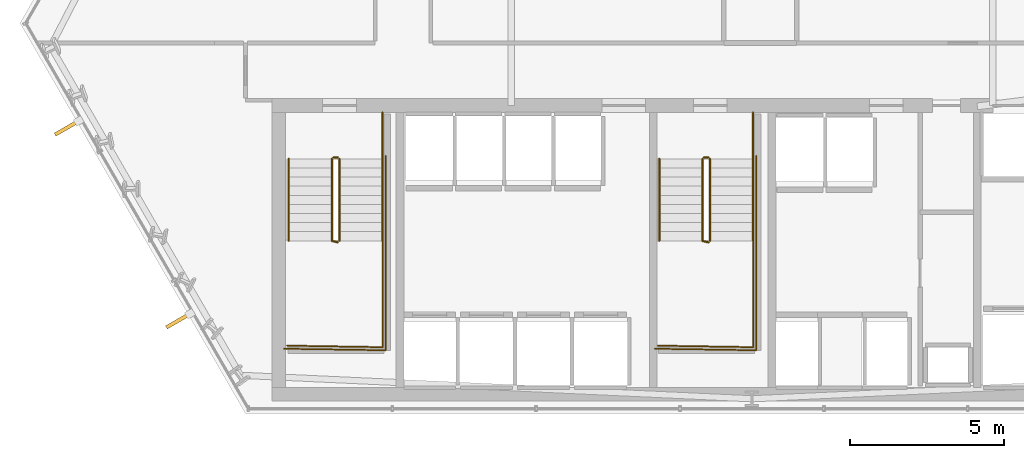
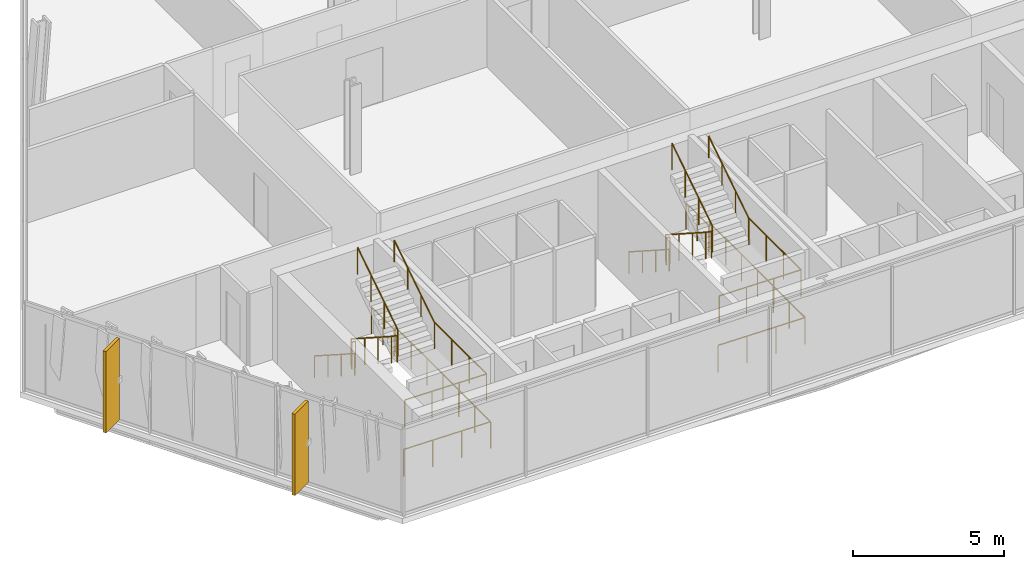
# One storey, part 30 of 33: 16 railings, 2 shading devices.
"""IFC4 building model written with IfcOpenShell, lengths in metres."""

import ifcopenshell
import ifcopenshell.guid

model = None  # the IFC model being written
_history = None  # IfcOwnerHistory: only IFC2X3 demands one
_inside = {}  # id of a spatial element -> (the spatial element, [elements in it])
_under = {}  # id of a project, library or spatial element -> (it, [spatial elements below it])
_declared = {}  # id of a project -> (the project, [libraries it declares])
_typed = {}  # id of a type object -> (the type object, [elements of that type])
_made_of = {}  # id of a material, layer set ... -> (it, [elements and type objects made of it])


def new_model(schema):
    """Start an empty IFC model of exactly this schema.

    Asked for "IFC4X3", IfcOpenShell would pick the latest addendum, in which some entities
    have other attributes; the version numbers below select the first issue.
    IFC2X3 requires an IfcOwnerHistory on every rooted entity: one is made here for all.
    """
    global model, _history
    if schema == "IFC4X3":
        model = ifcopenshell.file(schema_version=(4, 3, 0, 0))
    else:
        model = ifcopenshell.file(schema=schema)
    _inside.clear()
    _under.clear()
    _declared.clear()
    _typed.clear()
    _made_of.clear()
    _history = None
    if model.schema == "IFC2X3":
        org = make("IfcOrganization", Name="unknown")
        user = make(
            "IfcPersonAndOrganization",
            ThePerson=make("IfcPerson", FamilyName="unknown"),
            TheOrganization=org,
        )
        app = make(
            "IfcApplication",
            ApplicationDeveloper=org,
            Version="unknown",
            ApplicationFullName="unknown",
            ApplicationIdentifier="unknown",
        )
        _history = make(
            "IfcOwnerHistory",
            OwningUser=user,
            OwningApplication=app,
            ChangeAction="ADDED",
            CreationDate=0,
        )
    return model


def make(cls, **values):
    """One entity of the class cls with the attributes given. An attribute that is None is left unset."""
    return model.create_entity(
        cls, **{name: value for name, value in values.items() if value is not None}
    )


def rooted(cls, **values):
    """An entity with a GlobalId (a new one), such as an element, a storey or a relation."""
    return make(cls, GlobalId=ifcopenshell.guid.new(), OwnerHistory=_history, **values)


def si_unit(unit_type, name, prefix=None):
    """IfcSIUnit, for example si_unit("LENGTHUNIT", "METRE", prefix="MILLI")."""
    return make("IfcSIUnit", UnitType=unit_type, Prefix=prefix, Name=name)


def assignment(units):
    """IfcUnitAssignment: the units of a project."""
    return None if units is None else make("IfcUnitAssignment", Units=units)


def point(xyz):
    """IfcCartesianPoint."""
    return None if xyz is None else make("IfcCartesianPoint", Coordinates=xyz)


def direction(xyz):
    """IfcDirection."""
    return None if xyz is None else make("IfcDirection", DirectionRatios=xyz)


def frame(location, z_axis=None, x_axis=None):
    """IfcAxis2Placement3D, a coordinate frame: its origin and axes. An axis left out is left unset."""
    return make(
        "IfcAxis2Placement3D",
        Location=point(location),
        Axis=direction(z_axis),
        RefDirection=direction(x_axis),
    )


def frame_2d(location, x_axis=None):
    """IfcAxis2Placement2D, a coordinate frame in the plane: its origin and x axis."""
    return make(
        "IfcAxis2Placement2D", Location=point(location), RefDirection=direction(x_axis)
    )


def origin():
    """The frame at (0, 0, 0) with its axes left unset."""
    return frame((0.0, 0.0, 0.0))


def origin_2d():
    """The frame at (0, 0) in the plane with its x axis left unset."""
    return frame_2d((0.0, 0.0))


def place(relative_to, where):
    """IfcLocalPlacement: puts the frame where relative to a parent placement (None: the world)."""
    return make(
        "IfcLocalPlacement", PlacementRelTo=relative_to, RelativePlacement=where
    )


def context(
    kind, dimensions, precision=None, world=None, true_north=None, identifier=None
):
    """IfcGeometricRepresentationContext, for example the 3D "Model" context."""
    return make(
        "IfcGeometricRepresentationContext",
        ContextIdentifier=identifier,
        ContextType=kind,
        CoordinateSpaceDimension=dimensions,
        Precision=precision,
        WorldCoordinateSystem=world,
        TrueNorth=true_north,
    )


def subcontext(parent, identifier, kind, view, scale=None):
    """IfcGeometricRepresentationSubContext, for example "Body" below "Model"."""
    return make(
        "IfcGeometricRepresentationSubContext",
        ContextIdentifier=identifier,
        ContextType=kind,
        ParentContext=parent,
        TargetScale=scale,
        TargetView=view,
    )


def project(units=None, contexts=None):
    """IfcProject with its units and contexts."""
    return rooted(
        "IfcProject",
        Name="project",
        RepresentationContexts=contexts,
        UnitsInContext=assignment(units),
    )


def spatial(cls, under=None, at=None, **own):
    """A site, building, storey or space (cls), placed at a placement, below another one or the project."""
    s = rooted(cls, ObjectPlacement=at, **own)
    if under is not None:
        _under.setdefault(under.id(), (under, []))[1].append(s)
    return s


def profile(cls, at=None, kind="AREA", **sizes):
    """A parametric profile (cls). Its sizes go by their IFC names, for example OverallWidth=200.0."""
    return make(cls, ProfileType=kind, Position=at, **sizes)


def rectangle(**sizes):
    """IfcRectangleProfileDef."""
    return profile("IfcRectangleProfileDef", **sizes)


def circle(**sizes):
    """IfcCircleProfileDef."""
    return profile("IfcCircleProfileDef", **sizes)


def extrude(swept, where, along, depth):
    """IfcExtrudedAreaSolid: the profile swept, set in the frame where, extruded along a direction by depth."""
    return make(
        "IfcExtrudedAreaSolid",
        SweptArea=swept,
        Position=where,
        ExtrudedDirection=direction(along),
        Depth=depth,
    )


def shape(context_of_items, identifier, shape_type, items):
    """IfcShapeRepresentation: the items that make up one representation, for example the "Body"."""
    return make(
        "IfcShapeRepresentation",
        ContextOfItems=context_of_items,
        RepresentationIdentifier=identifier,
        RepresentationType=shape_type,
        Items=items,
    )


def material(Name=None, Category=None):
    """IfcMaterial."""
    return make("IfcMaterial", Name=Name, Category=Category)


def layer(
    of_material, thickness, ventilated=None, Name=None, Category=None, Priority=None
):
    """IfcMaterialLayer: one layer of a wall or slab, of a material (None: an air gap)."""
    return make(
        "IfcMaterialLayer",
        Material=of_material,
        LayerThickness=thickness,
        IsVentilated=ventilated,
        Name=Name,
        Category=Category,
        Priority=Priority,
    )


def layer_set(layers, Name=None):
    """IfcMaterialLayerSet."""
    return make("IfcMaterialLayerSet", MaterialLayers=layers, LayerSetName=Name)


def made_of(thing, what):
    """Note that an element or type object is made of a material, layer set ...; save() writes the relation."""
    if what is not None:
        _made_of.setdefault(what.id(), (what, []))[1].append(thing)
    return thing


def type_object(cls, material=None, **own):
    """A type object (cls), such as IfcWallType, which elements share."""
    return made_of(rooted(cls, **own), material)


def element(
    cls,
    number,
    at=None,
    inside=None,
    cuts=None,
    type_object=None,
    material=None,
    context=None,
    identifier="Body",
    shape_type=None,
    held_by="IfcProductDefinitionShape",
    body=None,
    shapes=None,
    **own,
):
    """One element of the class cls, such as IfcWall. Its Tag is "e" and its number.

    at: its placement. inside: the storey or other place that contains it. cuts: it is an
    opening in that element (IfcRelVoidsElement). A single representation is given by context,
    identifier, shape_type and body (its items); several are given by shapes. held_by: the class
    of the entity that holds the representations. save() writes the other relations.
    """
    e = rooted(cls, Tag="e%d" % number, ObjectPlacement=at, **own)
    if body is not None:
        shapes = [shape(context, identifier, shape_type, body)]
    if shapes is not None:
        e.Representation = make(held_by, Representations=shapes)
    if inside is not None:
        _inside.setdefault(inside.id(), (inside, []))[1].append(e)
    if cuts is not None:
        rooted(
            "IfcRelVoidsElement", RelatingBuildingElement=cuts, RelatedOpeningElement=e
        )
    if type_object is not None:
        _typed.setdefault(type_object.id(), (type_object, []))[1].append(e)
    return made_of(e, material)


def aggregate(whole, parts):
    """IfcRelAggregates: a whole, such as a stair, and the parts it consists of."""
    return rooted("IfcRelAggregates", RelatingObject=whole, RelatedObjects=parts)


def save(model, path):
    """Write the relations noted so far, then the file.

    IfcRelAggregates (storeys below a building ...), IfcRelContainedInSpatialStructure (elements
    in a storey), IfcRelDefinesByType, IfcRelAssociatesMaterial and IfcRelDeclares: one each for
    every whole, place, type object, material and project.
    """
    for whole, parts in _under.values():
        aggregate(whole, parts)
    for where, things in _inside.values():
        rooted(
            "IfcRelContainedInSpatialStructure",
            RelatedElements=things,
            RelatingStructure=where,
        )
    for kind, things in _typed.values():
        rooted("IfcRelDefinesByType", RelatedObjects=things, RelatingType=kind)
    for what, things in _made_of.values():
        rooted("IfcRelAssociatesMaterial", RelatedObjects=things, RelatingMaterial=what)
    for by, libraries in _declared.values():
        rooted("IfcRelDeclares", RelatingContext=by, RelatedDefinitions=libraries)
    model.write(path)


model = new_model("IFC4")

# Units and contexts
model_context = context("Model", 3, precision=1e-05, world=origin(), true_north=direction((0.0, 1.0)))
body_context = subcontext(model_context, "Body", "Model", "MODEL_VIEW")
ifc_project = project(units=[si_unit("LENGTHUNIT", "METRE"), si_unit("AREAUNIT", "SQUARE_METRE"), si_unit("VOLUMEUNIT", "CUBIC_METRE"), si_unit("PLANEANGLEUNIT", "RADIAN"), si_unit("MASSUNIT", "GRAM", prefix="KILO")], contexts=[model_context])

# Site, building, storey
site_placement = place(None, origin())
site = spatial("IfcSite", under=ifc_project, at=site_placement, CompositionType="ELEMENT")
building_placement = place(site_placement, origin())
building = spatial("IfcBuilding", under=site, at=building_placement, Name="Ndaravel Arena Tower", CompositionType="ELEMENT")
storey_placement = place(building_placement, frame((0.0, 0.0, 89.199951171875)))
storey = spatial("IfcBuildingStorey", under=building, at=storey_placement, Name="L20", CompositionType="ELEMENT", Elevation=89.199951171875)

# Railings
ifc_material_1 = material(Name="Steel S355", Category="steel")
ifc_layer_1 = layer(ifc_material_1, 0.06005859375)
ifc_layer_set_1 = layer_set([ifc_layer_1], Name="Steel S355")
railing_type_1 = type_object("IfcRailingType", Name="RAIL-STAIR-GD1100", PredefinedType="GUARDRAIL", material=ifc_layer_set_1)
railing_1_placement = place(storey_placement, frame((28.39990234375, 13.25, 0.18994140625)))
element("IfcRailing", 1, at=railing_1_placement, inside=storey, type_object=railing_type_1, Name="L20 ST-1 stair guard 1", PredefinedType="GUARDRAIL", context=body_context, shape_type="SweptSolid", body=[
    extrude(circle(Radius=0.02392578125, at=origin_2d()), frame((0.0, 0.0, 1.076171875), z_axis=(0.0, -0.840688348013, 0.541519253134), x_axis=(1.0, 0.0, 0.0)), (0.0, 0.0, 1.0), 3.158203125),
    extrude(circle(Radius=0.02392578125, at=origin_2d()), frame((0.0, -2.655029296875, 2.7861328125), z_axis=(0.967074537263, -0.25449329928, 0.0), x_axis=(0.25449329928, 0.967074537263, 0.0)), (0.0, 0.0, 1.0), 0.19677734375),
    extrude(circle(Radius=0.02099609375, at=origin_2d()), origin(), (0.0, 0.0, 1.0), 1.052001953125),
    extrude(circle(Radius=0.02099609375, at=origin_2d()), frame((0.0, -0.885009765625, 0.570068359375)), (0.0, 0.0, 1.0), 1.052001953125),
    extrude(circle(Radius=0.02099609375, at=origin_2d()), frame((0.0, -1.77001953125, 1.14013671875)), (0.0, 0.0, 1.0), 1.052001953125),
    extrude(circle(Radius=0.02099609375, at=origin_2d()), frame((0.0, -2.655029296875, 1.710205078125)), (0.0, 0.0, 1.0), 1.052001953125),
    extrude(circle(Radius=0.02099609375, at=origin_2d()), frame((0.190185546875, -2.705078125, 1.710205078125)), (0.0, 0.0, 1.0), 1.052001953125),
])
railing_2_placement = place(storey_placement, frame((30.0400390625, 10.594970703125, 1.900146484375)))
element("IfcRailing", 2, at=railing_2_placement, inside=storey, type_object=railing_type_1, Name="L20 ST-1 stair guard 2", PredefinedType="GUARDRAIL", context=body_context, shape_type="SweptSolid", body=[
    extrude(circle(Radius=0.02392578125, at=origin_2d()), frame((0.0, 0.0, 1.076171875), z_axis=(0.0, -1.0, 0.0), x_axis=(1.0, 0.0, 0.0)), (0.0, 0.0, 1.0), 3.445068359375),
    extrude(circle(Radius=0.02392578125, at=origin_2d()), frame((0.0, -3.445068359375, 1.076171875), z_axis=(-0.999868861343, 0.016194447071, 0.0), x_axis=(-0.016194447071, -0.999868861343, 0.0)), (0.0, 0.0, 1.0), 3.090576171875),
    extrude(circle(Radius=0.02099609375, at=origin_2d()), origin(), (0.0, 0.0, 1.0), 1.052001953125),
    extrude(circle(Radius=0.02099609375, at=origin_2d()), frame((0.0, -1.1484375, 0.0)), (0.0, 0.0, 1.0), 1.052001953125),
    extrude(circle(Radius=0.02099609375, at=origin_2d()), frame((0.0, -2.296630859375, 0.0)), (0.0, 0.0, 1.0), 1.052001953125),
    extrude(circle(Radius=0.02099609375, at=origin_2d()), frame((0.0, -3.445068359375, 0.0)), (0.0, 0.0, 1.0), 1.052001953125),
    extrude(circle(Radius=0.02099609375, at=origin_2d()), frame((-1.030029296875, -3.428466796875, 0.0)), (0.0, 0.0, 1.0), 1.052001953125),
    extrude(circle(Radius=0.02099609375, at=origin_2d()), frame((-2.06005859375, -3.41162109375, 0.0)), (0.0, 0.0, 1.0), 1.052001953125),
    extrude(circle(Radius=0.02099609375, at=origin_2d()), frame((-3.090087890625, -3.39501953125, 0.0)), (0.0, 0.0, 1.0), 1.052001953125),
])
railing_3_placement = place(storey_placement, frame((28.639892578125, 10.594970703125, 2.090087890625)))
element("IfcRailing", 3, at=railing_3_placement, inside=storey, type_object=railing_type_1, Name="L20 ST-1 stair guard 3", PredefinedType="GUARDRAIL", context=body_context, shape_type="SweptSolid", body=[
    extrude(circle(Radius=0.02392578125, at=origin_2d()), frame((0.0, 0.0, 1.076171875), z_axis=(0.0, 0.840723540582, 0.54146461409), x_axis=(-1.0, 0.0, 0.0)), (0.0, 0.0, 1.0), 3.157958984375),
    extrude(circle(Radius=0.02099609375, at=origin_2d()), origin(), (0.0, 0.0, 1.0), 1.052001953125),
    extrude(circle(Radius=0.02099609375, at=origin_2d()), frame((0.0, 0.885009765625, 0.570068359375)), (0.0, 0.0, 1.0), 1.052001953125),
    extrude(circle(Radius=0.02099609375, at=origin_2d()), frame((0.0, 1.77001953125, 1.139892578125)), (0.0, 0.0, 1.0), 1.052001953125),
    extrude(circle(Radius=0.02099609375, at=origin_2d()), frame((0.0, 2.655029296875, 1.7099609375)), (0.0, 0.0, 1.0), 1.052001953125),
])
railing_4_placement = place(storey_placement, frame((28.449951171875, 13.300048828125, 0.0)))
element("IfcRailing", 4, at=railing_4_placement, inside=storey, type_object=railing_type_1, Name="L20 ST-1 stair guard 4", PredefinedType="GUARDRAIL", context=body_context, shape_type="SweptSolid", body=[
    extrude(circle(Radius=0.02392578125, at=origin_2d()), frame((0.0, 0.0, 1.076171875), z_axis=(1.0, 0.0, 0.0), x_axis=(0.0, 1.0, 0.0)), (0.0, 0.0, 1.0), 0.14013671875),
    extrude(circle(Radius=0.02099609375, at=origin_2d()), origin(), (0.0, 0.0, 1.0), 1.052001953125),
    extrude(circle(Radius=0.02099609375, at=origin_2d()), frame((0.14013671875, 0.0, 0.0)), (0.0, 0.0, 1.0), 1.052001953125),
])
railing_5_placement = place(storey_placement, frame((30.0400390625, 14.75, 0.0)))
element("IfcRailing", 5, at=railing_5_placement, inside=storey, type_object=railing_type_1, Name="L20 ST-1 stair guard 5", PredefinedType="GUARDRAIL", context=body_context, shape_type="SweptSolid", body=[
    extrude(circle(Radius=0.02392578125, at=origin_2d()), frame((0.0, 0.0, 1.076171875), z_axis=(0.0, -1.0, 0.0), x_axis=(1.0, 0.0, 0.0)), (0.0, 0.0, 1.0), 1.5),
    extrude(circle(Radius=0.02099609375, at=origin_2d()), origin(), (0.0, 0.0, 1.0), 1.052001953125),
    extrude(circle(Radius=0.02099609375, at=origin_2d()), frame((0.0, -0.75, 0.0)), (0.0, 0.0, 1.0), 1.052001953125),
    extrude(circle(Radius=0.02099609375, at=origin_2d()), frame((0.0, -1.5, 0.0)), (0.0, 0.0, 1.0), 1.052001953125),
])
railing_6_placement = place(storey_placement, frame((30.139892578125, 13.35009765625, 0.0)))
element("IfcRailing", 6, at=railing_6_placement, inside=storey, type_object=railing_type_1, Name="L20 ST-1 stair guard 6", PredefinedType="GUARDRAIL", context=body_context, shape_type="SweptSolid", body=[
    extrude(circle(Radius=0.02392578125, at=origin_2d()), frame((0.0, 0.0, 1.076171875), z_axis=(0.0, -1.0, 0.0), x_axis=(1.0, 0.0, 0.0)), (0.0, 0.0, 1.0), 6.300048828125),
    extrude(circle(Radius=0.02392578125, at=origin_2d()), frame((0.0, -6.300048828125, 1.076171875), z_axis=(-0.999884296952, 0.015211597839, 0.0), x_axis=(-0.015211597839, -0.999884296952, 0.0)), (0.0, 0.0, 1.0), 3.290283203125),
    extrude(circle(Radius=0.02099609375, at=origin_2d()), origin(), (0.0, 0.0, 1.0), 1.052001953125),
    extrude(circle(Radius=0.02099609375, at=origin_2d()), frame((0.0, -1.050048828125, 0.0)), (0.0, 0.0, 1.0), 1.052001953125),
    extrude(circle(Radius=0.02099609375, at=origin_2d()), frame((0.0, -2.10009765625, 0.0)), (0.0, 0.0, 1.0), 1.052001953125),
    extrude(circle(Radius=0.02099609375, at=origin_2d()), frame((0.0, -3.14990234375, 0.0)), (0.0, 0.0, 1.0), 1.052001953125),
    extrude(circle(Radius=0.02099609375, at=origin_2d()), frame((0.0, -4.199951171875, 0.0)), (0.0, 0.0, 1.0), 1.052001953125),
    extrude(circle(Radius=0.02099609375, at=origin_2d()), frame((0.0, -5.25, 0.0)), (0.0, 0.0, 1.0), 1.052001953125),
    extrude(circle(Radius=0.02099609375, at=origin_2d()), frame((0.0, -6.300048828125, 0.0)), (0.0, 0.0, 1.0), 1.052001953125),
    extrude(circle(Radius=0.02099609375, at=origin_2d()), frame((-1.0966796875, -6.283447265625, 0.0)), (0.0, 0.0, 1.0), 1.052001953125),
    extrude(circle(Radius=0.02099609375, at=origin_2d()), frame((-2.193115234375, -6.2666015625, 0.0)), (0.0, 0.0, 1.0), 1.052001953125),
    extrude(circle(Radius=0.02099609375, at=origin_2d()), frame((-3.289794921875, -6.25, 0.0)), (0.0, 0.0, 1.0), 1.052001953125),
])
railing_7_placement = place(storey_placement, frame((40.39990234375, 13.25, 0.18994140625)))
element("IfcRailing", 7, at=railing_7_placement, inside=storey, type_object=railing_type_1, Name="L20 ST-2 stair guard 1", PredefinedType="GUARDRAIL", context=body_context, shape_type="SweptSolid", body=[
    extrude(circle(Radius=0.02392578125, at=origin_2d()), frame((0.0, 0.0, 1.076171875), z_axis=(0.0, -0.840688348013, 0.541519253134), x_axis=(1.0, 0.0, 0.0)), (0.0, 0.0, 1.0), 3.158203125),
    extrude(circle(Radius=0.02392578125, at=origin_2d()), frame((0.0, -2.655029296875, 2.7861328125), z_axis=(0.967074537263, -0.25449329928, 0.0), x_axis=(0.25449329928, 0.967074537263, 0.0)), (0.0, 0.0, 1.0), 0.19677734375),
    extrude(circle(Radius=0.02099609375, at=origin_2d()), origin(), (0.0, 0.0, 1.0), 1.052001953125),
    extrude(circle(Radius=0.02099609375, at=origin_2d()), frame((0.0, -0.885009765625, 0.570068359375)), (0.0, 0.0, 1.0), 1.052001953125),
    extrude(circle(Radius=0.02099609375, at=origin_2d()), frame((0.0, -1.77001953125, 1.14013671875)), (0.0, 0.0, 1.0), 1.052001953125),
    extrude(circle(Radius=0.02099609375, at=origin_2d()), frame((0.0, -2.655029296875, 1.710205078125)), (0.0, 0.0, 1.0), 1.052001953125),
    extrude(circle(Radius=0.02099609375, at=origin_2d()), frame((0.190185546875, -2.705078125, 1.710205078125)), (0.0, 0.0, 1.0), 1.052001953125),
])
railing_8_placement = place(storey_placement, frame((42.0400390625, 10.594970703125, 1.900146484375)))
element("IfcRailing", 8, at=railing_8_placement, inside=storey, type_object=railing_type_1, Name="L20 ST-2 stair guard 2", PredefinedType="GUARDRAIL", context=body_context, shape_type="SweptSolid", body=[
    extrude(circle(Radius=0.02392578125, at=origin_2d()), frame((0.0, 0.0, 1.076171875), z_axis=(0.0, -1.0, 0.0), x_axis=(1.0, 0.0, 0.0)), (0.0, 0.0, 1.0), 3.445068359375),
    extrude(circle(Radius=0.02392578125, at=origin_2d()), frame((0.0, -3.445068359375, 1.076171875), z_axis=(-0.999868861343, 0.016194447071, 0.0), x_axis=(-0.016194447071, -0.999868861343, 0.0)), (0.0, 0.0, 1.0), 3.090576171875),
    extrude(circle(Radius=0.02099609375, at=origin_2d()), origin(), (0.0, 0.0, 1.0), 1.052001953125),
    extrude(circle(Radius=0.02099609375, at=origin_2d()), frame((0.0, -1.1484375, 0.0)), (0.0, 0.0, 1.0), 1.052001953125),
    extrude(circle(Radius=0.02099609375, at=origin_2d()), frame((0.0, -2.296630859375, 0.0)), (0.0, 0.0, 1.0), 1.052001953125),
    extrude(circle(Radius=0.02099609375, at=origin_2d()), frame((0.0, -3.445068359375, 0.0)), (0.0, 0.0, 1.0), 1.052001953125),
    extrude(circle(Radius=0.02099609375, at=origin_2d()), frame((-1.030029296875, -3.428466796875, 0.0)), (0.0, 0.0, 1.0), 1.052001953125),
    extrude(circle(Radius=0.02099609375, at=origin_2d()), frame((-2.06005859375, -3.41162109375, 0.0)), (0.0, 0.0, 1.0), 1.052001953125),
    extrude(circle(Radius=0.02099609375, at=origin_2d()), frame((-3.090087890625, -3.39501953125, 0.0)), (0.0, 0.0, 1.0), 1.052001953125),
])
railing_9_placement = place(storey_placement, frame((40.639892578125, 10.594970703125, 2.090087890625)))
element("IfcRailing", 9, at=railing_9_placement, inside=storey, type_object=railing_type_1, Name="L20 ST-2 stair guard 3", PredefinedType="GUARDRAIL", context=body_context, shape_type="SweptSolid", body=[
    extrude(circle(Radius=0.02392578125, at=origin_2d()), frame((0.0, 0.0, 1.076171875), z_axis=(0.0, 0.840723540582, 0.54146461409), x_axis=(-1.0, 0.0, 0.0)), (0.0, 0.0, 1.0), 3.157958984375),
    extrude(circle(Radius=0.02099609375, at=origin_2d()), origin(), (0.0, 0.0, 1.0), 1.052001953125),
    extrude(circle(Radius=0.02099609375, at=origin_2d()), frame((0.0, 0.885009765625, 0.570068359375)), (0.0, 0.0, 1.0), 1.052001953125),
    extrude(circle(Radius=0.02099609375, at=origin_2d()), frame((0.0, 1.77001953125, 1.139892578125)), (0.0, 0.0, 1.0), 1.052001953125),
    extrude(circle(Radius=0.02099609375, at=origin_2d()), frame((0.0, 2.655029296875, 1.7099609375)), (0.0, 0.0, 1.0), 1.052001953125),
])
railing_10_placement = place(storey_placement, frame((40.449951171875, 13.300048828125, 0.0)))
element("IfcRailing", 10, at=railing_10_placement, inside=storey, type_object=railing_type_1, Name="L20 ST-2 stair guard 4", PredefinedType="GUARDRAIL", context=body_context, shape_type="SweptSolid", body=[
    extrude(circle(Radius=0.02392578125, at=origin_2d()), frame((0.0, 0.0, 1.076171875), z_axis=(1.0, 0.0, 0.0), x_axis=(0.0, 1.0, 0.0)), (0.0, 0.0, 1.0), 0.14013671875),
    extrude(circle(Radius=0.02099609375, at=origin_2d()), origin(), (0.0, 0.0, 1.0), 1.052001953125),
    extrude(circle(Radius=0.02099609375, at=origin_2d()), frame((0.14013671875, 0.0, 0.0)), (0.0, 0.0, 1.0), 1.052001953125),
])
railing_11_placement = place(storey_placement, frame((42.0400390625, 14.75, 0.0)))
element("IfcRailing", 11, at=railing_11_placement, inside=storey, type_object=railing_type_1, Name="L20 ST-2 stair guard 5", PredefinedType="GUARDRAIL", context=body_context, shape_type="SweptSolid", body=[
    extrude(circle(Radius=0.02392578125, at=origin_2d()), frame((0.0, 0.0, 1.076171875), z_axis=(0.0, -1.0, 0.0), x_axis=(1.0, 0.0, 0.0)), (0.0, 0.0, 1.0), 1.5),
    extrude(circle(Radius=0.02099609375, at=origin_2d()), origin(), (0.0, 0.0, 1.0), 1.052001953125),
    extrude(circle(Radius=0.02099609375, at=origin_2d()), frame((0.0, -0.75, 0.0)), (0.0, 0.0, 1.0), 1.052001953125),
    extrude(circle(Radius=0.02099609375, at=origin_2d()), frame((0.0, -1.5, 0.0)), (0.0, 0.0, 1.0), 1.052001953125),
])
railing_12_placement = place(storey_placement, frame((42.139892578125, 13.35009765625, 0.0)))
element("IfcRailing", 12, at=railing_12_placement, inside=storey, type_object=railing_type_1, Name="L20 ST-2 stair guard 6", PredefinedType="GUARDRAIL", context=body_context, shape_type="SweptSolid", body=[
    extrude(circle(Radius=0.02392578125, at=origin_2d()), frame((0.0, 0.0, 1.076171875), z_axis=(0.0, -1.0, 0.0), x_axis=(1.0, 0.0, 0.0)), (0.0, 0.0, 1.0), 6.300048828125),
    extrude(circle(Radius=0.02392578125, at=origin_2d()), frame((0.0, -6.300048828125, 1.076171875), z_axis=(-0.999884296952, 0.015211597839, 0.0), x_axis=(-0.015211597839, -0.999884296952, 0.0)), (0.0, 0.0, 1.0), 3.290283203125),
    extrude(circle(Radius=0.02099609375, at=origin_2d()), origin(), (0.0, 0.0, 1.0), 1.052001953125),
    extrude(circle(Radius=0.02099609375, at=origin_2d()), frame((0.0, -1.050048828125, 0.0)), (0.0, 0.0, 1.0), 1.052001953125),
    extrude(circle(Radius=0.02099609375, at=origin_2d()), frame((0.0, -2.10009765625, 0.0)), (0.0, 0.0, 1.0), 1.052001953125),
    extrude(circle(Radius=0.02099609375, at=origin_2d()), frame((0.0, -3.14990234375, 0.0)), (0.0, 0.0, 1.0), 1.052001953125),
    extrude(circle(Radius=0.02099609375, at=origin_2d()), frame((0.0, -4.199951171875, 0.0)), (0.0, 0.0, 1.0), 1.052001953125),
    extrude(circle(Radius=0.02099609375, at=origin_2d()), frame((0.0, -5.25, 0.0)), (0.0, 0.0, 1.0), 1.052001953125),
    extrude(circle(Radius=0.02099609375, at=origin_2d()), frame((0.0, -6.300048828125, 0.0)), (0.0, 0.0, 1.0), 1.052001953125),
    extrude(circle(Radius=0.02099609375, at=origin_2d()), frame((-1.0966796875, -6.283447265625, 0.0)), (0.0, 0.0, 1.0), 1.052001953125),
    extrude(circle(Radius=0.02099609375, at=origin_2d()), frame((-2.193115234375, -6.2666015625, 0.0)), (0.0, 0.0, 1.0), 1.052001953125),
    extrude(circle(Radius=0.02099609375, at=origin_2d()), frame((-3.289794921875, -6.25, 0.0)), (0.0, 0.0, 1.0), 1.052001953125),
])
ifc_material_2 = material(Name="Steel S355", Category="steel")
ifc_layer_2 = layer(ifc_material_2, 0.050048828125)
ifc_layer_set_2 = layer_set([ifc_layer_2], Name="Steel S355")
railing_type_2 = type_object("IfcRailingType", Name="RAIL-STAIR-HR920", PredefinedType="HANDRAIL", material=ifc_layer_set_2)
railing_13_placement = place(storey_placement, frame((27.0, 13.25, 0.18994140625)))
element("IfcRailing", 13, at=railing_13_placement, inside=storey, type_object=railing_type_2, Name="L20 ST-1 stair handrail 1", PredefinedType="HANDRAIL", context=body_context, shape_type="SweptSolid", body=[
    extrude(circle(Radius=0.02392578125, at=origin_2d()), frame((0.0, 0.0, 0.8759765625), z_axis=(0.0, -0.840688348013, 0.541519253134), x_axis=(1.0, 0.0, 0.0)), (0.0, 0.0, 1.0), 3.158203125),
    extrude(circle(Radius=0.02099609375, at=origin_2d()), origin(), (0.0, 0.0, 1.0), 0.851806640625),
    extrude(circle(Radius=0.02099609375, at=origin_2d()), frame((0.0, -0.885009765625, 0.570068359375)), (0.0, 0.0, 1.0), 0.851806640625),
    extrude(circle(Radius=0.02099609375, at=origin_2d()), frame((0.0, -1.77001953125, 1.14013671875)), (0.0, 0.0, 1.0), 0.851806640625),
    extrude(circle(Radius=0.02099609375, at=origin_2d()), frame((0.0, -2.655029296875, 1.710205078125)), (0.0, 0.0, 1.0), 0.851806640625),
])
railing_14_placement = place(storey_placement, frame((30.0400390625, 10.594970703125, 2.090087890625)))
element("IfcRailing", 14, at=railing_14_placement, inside=storey, type_object=railing_type_2, Name="L20 ST-1 stair handrail 2", PredefinedType="HANDRAIL", context=body_context, shape_type="SweptSolid", body=[
    extrude(circle(Radius=0.02392578125, at=origin_2d()), frame((0.0, 0.0, 0.8759765625), z_axis=(0.0, 0.840723540582, 0.54146461409), x_axis=(-1.0, 0.0, 0.0)), (0.0, 0.0, 1.0), 3.157958984375),
    extrude(circle(Radius=0.02099609375, at=origin_2d()), origin(), (0.0, 0.0, 1.0), 0.851806640625),
    extrude(circle(Radius=0.02099609375, at=origin_2d()), frame((0.0, 0.885009765625, 0.570068359375)), (0.0, 0.0, 1.0), 0.851806640625),
    extrude(circle(Radius=0.02099609375, at=origin_2d()), frame((0.0, 1.77001953125, 1.139892578125)), (0.0, 0.0, 1.0), 0.851806640625),
    extrude(circle(Radius=0.02099609375, at=origin_2d()), frame((0.0, 2.655029296875, 1.7099609375)), (0.0, 0.0, 1.0), 0.851806640625),
])
railing_15_placement = place(storey_placement, frame((39.0, 13.25, 0.18994140625)))
element("IfcRailing", 15, at=railing_15_placement, inside=storey, type_object=railing_type_2, Name="L20 ST-2 stair handrail 1", PredefinedType="HANDRAIL", context=body_context, shape_type="SweptSolid", body=[
    extrude(circle(Radius=0.02392578125, at=origin_2d()), frame((0.0, 0.0, 0.8759765625), z_axis=(0.0, -0.840688348013, 0.541519253134), x_axis=(1.0, 0.0, 0.0)), (0.0, 0.0, 1.0), 3.158203125),
    extrude(circle(Radius=0.02099609375, at=origin_2d()), origin(), (0.0, 0.0, 1.0), 0.851806640625),
    extrude(circle(Radius=0.02099609375, at=origin_2d()), frame((0.0, -0.885009765625, 0.570068359375)), (0.0, 0.0, 1.0), 0.851806640625),
    extrude(circle(Radius=0.02099609375, at=origin_2d()), frame((0.0, -1.77001953125, 1.14013671875)), (0.0, 0.0, 1.0), 0.851806640625),
    extrude(circle(Radius=0.02099609375, at=origin_2d()), frame((0.0, -2.655029296875, 1.710205078125)), (0.0, 0.0, 1.0), 0.851806640625),
])
railing_16_placement = place(storey_placement, frame((42.0400390625, 10.594970703125, 2.090087890625)))
element("IfcRailing", 16, at=railing_16_placement, inside=storey, type_object=railing_type_2, Name="L20 ST-2 stair handrail 2", PredefinedType="HANDRAIL", context=body_context, shape_type="SweptSolid", body=[
    extrude(circle(Radius=0.02392578125, at=origin_2d()), frame((0.0, 0.0, 0.8759765625), z_axis=(0.0, 0.840723540582, 0.54146461409), x_axis=(-1.0, 0.0, 0.0)), (0.0, 0.0, 1.0), 3.157958984375),
    extrude(circle(Radius=0.02099609375, at=origin_2d()), origin(), (0.0, 0.0, 1.0), 0.851806640625),
    extrude(circle(Radius=0.02099609375, at=origin_2d()), frame((0.0, 0.885009765625, 0.570068359375)), (0.0, 0.0, 1.0), 0.851806640625),
    extrude(circle(Radius=0.02099609375, at=origin_2d()), frame((0.0, 1.77001953125, 1.139892578125)), (0.0, 0.0, 1.0), 0.851806640625),
    extrude(circle(Radius=0.02099609375, at=origin_2d()), frame((0.0, 2.655029296875, 1.7099609375)), (0.0, 0.0, 1.0), 0.851806640625),
])

# Shading devices
ifc_material_3 = material(Name="Masonry", Category="masonry")
shading_device_type = type_object("IfcShadingDeviceType", Name="SHD-MAZERAS-FIN", PredefinedType="SHUTTER", material=ifc_material_3)
for number, where, z_axis, x_axis, name in (
    (17, (19.8212890625, 14.2587890625, 0.14990234375), (0.0, 0.0, 1.0), (-0.866025403784, -0.5, 0.0), "L20 Mazeras Stone Solar Fin E6.1"),
    (18, (23.42626953125, 8.014892578125, 0.14990234375), (0.0, 0.0, 1.0), (-0.866025403784, -0.5, 0.0), "L20 Mazeras Stone Solar Fin E6.2"),
):
    element("IfcShadingDevice", number, at=place(storey_placement, frame(where, z_axis=z_axis, x_axis=x_axis)), inside=storey, type_object=shading_device_type, Name=name, PredefinedType="SHUTTER", context=body_context, shape_type="SweptSolid", body=[
        extrude(rectangle(XDim=0.89990234375, YDim=0.1201171875, at=origin_2d()), origin(), (0.0, 0.0, 1.0), 3.280029296875),
    ])

save(model, "model.ifc")
